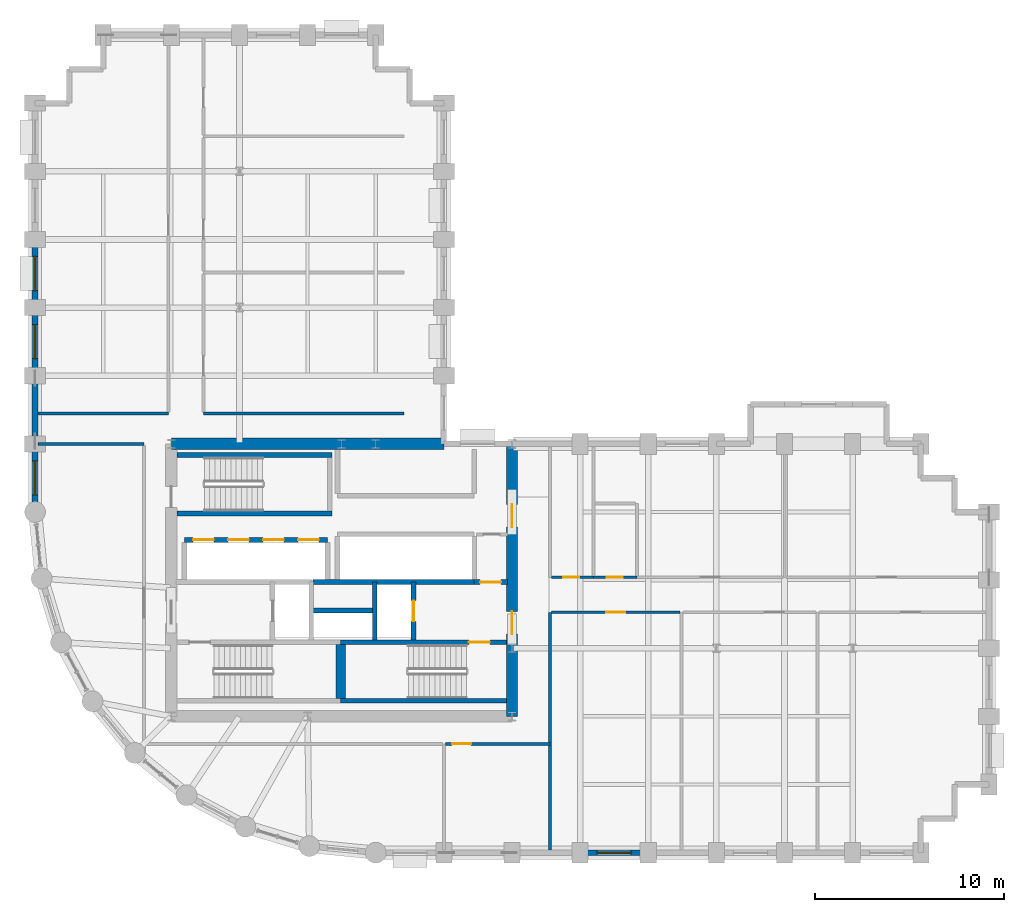
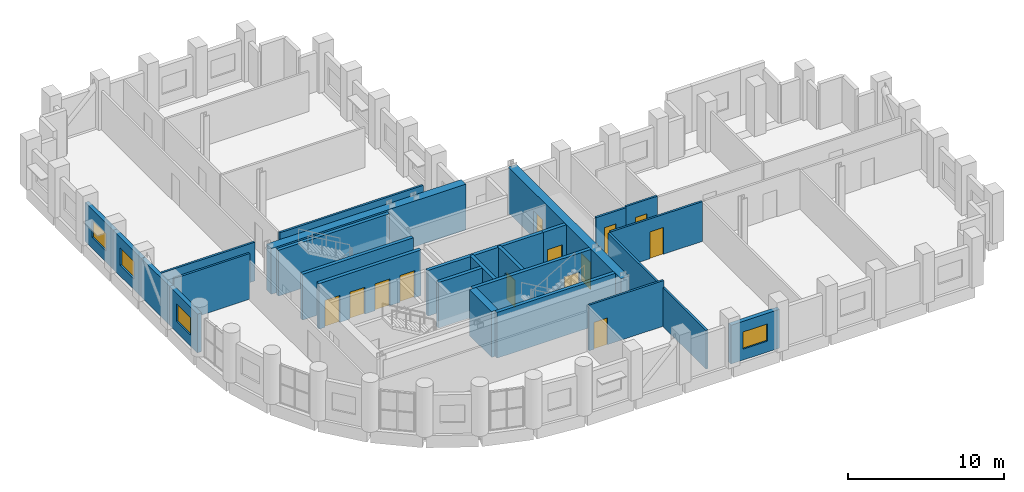
# One storey, part 8 of 13: 26 walls, 13 doors, 4 windows, 17 openings.
"""IFC4 building model written with IfcOpenShell, lengths in metres."""

from ifc_helpers import new_model, si_unit, direction, frame, frame_2d, origin, place, context, subcontext, project, spatial, rectangle, extrude, material, layer, layer_set, type_object, element, fill, save


model = new_model("IFC4")

# Units and contexts
model_context = context("Model", 3, precision=1e-05, world=origin(), true_north=direction((0.0, 1.0)))
body_context = subcontext(model_context, "Body", "Model", "MODEL_VIEW")
ifc_project = project(units=[si_unit("LENGTHUNIT", "METRE"), si_unit("AREAUNIT", "SQUARE_METRE"), si_unit("VOLUMEUNIT", "CUBIC_METRE"), si_unit("PLANEANGLEUNIT", "RADIAN"), si_unit("MASSUNIT", "GRAM", prefix="KILO")], contexts=[model_context])

# Site, building, storey
site_placement = place(None, origin())
site = spatial("IfcSite", under=ifc_project, at=site_placement, CompositionType="ELEMENT")
building_placement = place(site_placement, origin())
building = spatial("IfcBuilding", under=site, at=building_placement, Name="Solnavia Interchange Tower", CompositionType="ELEMENT")
storey_placement = place(building_placement, frame((0.0, 0.0, 111.300048828125)))
storey = spatial("IfcBuildingStorey", under=building, at=storey_placement, Name="L27", CompositionType="ELEMENT", Elevation=111.300048828125)

# Wall, opening, window
ifc_material_1 = material(Name="Concrete C40/50", Category="concrete")
ifc_layer_1 = layer(ifc_material_1, 0.300048828125)
ifc_layer_set_1 = layer_set([ifc_layer_1], Name="Concrete C40/50")
wall_type_1 = type_object("IfcWallType", Name="Wall-ExtSpandrel-300", PredefinedType="STANDARD", material=ifc_layer_set_1)
wall_1_placement = place(storey_placement, frame((39.60009765625, 3.60009765625, 0.0), z_axis=(0.0, 0.0, 1.0), x_axis=(-1.0, 0.0, 0.0)))
wall_1 = element("IfcWall", 1, at=wall_1_placement, inside=storey, type_object=wall_type_1, Name="EXW-L27-04 Exterior precast spandrel wall", PredefinedType="STANDARD", context=body_context, shape_type="SweptSolid", body=[
    extrude(rectangle(XDim=3.60009765625, YDim=0.300048828125, at=frame_2d((1.800048828125, 0.0))), origin(), (0.0, 0.0, 1.0), 3.030029296875),
])
opening_1_placement = place(wall_1_placement, frame((0.89990234375, 0.0, 0.85009765625)))
opening_1 = element("IfcOpeningElement", 2, at=opening_1_placement, cuts=wall_1, Name="Opening WIN-02", PredefinedType="OPENING", context=body_context, shape_type="SweptSolid", body=[
    extrude(rectangle(XDim=1.800048828125, YDim=1.35009765625, at=frame_2d((0.89990234375, 0.675048828125))), frame((0.0, 0.16015625, 0.0), z_axis=(0.0, -1.0, 0.0), x_axis=(1.0, 0.0, 0.0)), (0.0, 0.0, 1.0), 0.320068359375),
])
ifc_material_2 = material(Name="Thermal-Break Aluminium & Low-E Glass", Category="aluminium")
window_type = type_object("IfcWindowType", Name="Window-Ribbon-1800x1350", PartitioningType="SINGLE_PANEL", PredefinedType="WINDOW", material=ifc_material_2)
window_1_placement = place(opening_1_placement, origin())
window_1 = element("IfcWindow", 3, at=window_1_placement, inside=storey, type_object=window_type, Name="WIN-L27-04 Facade ribbon window", OverallHeight=1.35009765625, OverallWidth=1.800048828125, PartitioningType="SINGLE_PANEL", PredefinedType="WINDOW", context=body_context, shape_type="SweptSolid", body=[
    extrude(rectangle(XDim=1.800048828125, YDim=1.35009765625, at=frame_2d((0.89990234375, 0.675048828125))), frame((0.0, 0.030029296875, 0.0), z_axis=(0.0, -1.0, 0.0), x_axis=(1.0, 0.0, 0.0)), (0.0, 0.0, 1.0), 0.06005859375),
])
fill(opening_1, window_1)

wall_2_placement = place(storey_placement, frame((7.199951171875, 32.39990234375, 0.0), z_axis=(0.0, 0.0, 1.0), x_axis=(0.0, 1.0, 0.0)))
wall_2 = element("IfcWall", 4, at=wall_2_placement, inside=storey, type_object=wall_type_1, Name="EXW-L27-51 Exterior precast spandrel wall", PredefinedType="STANDARD", context=body_context, shape_type="SweptSolid", body=[
    extrude(rectangle(XDim=3.60009765625, YDim=0.300048828125, at=frame_2d((1.800048828125, 0.0))), origin(), (0.0, 0.0, 1.0), 3.030029296875),
])
opening_2_placement = place(wall_2_placement, frame((0.89990234375, 0.0, 0.85009765625)))
opening_2 = element("IfcOpeningElement", 5, at=opening_2_placement, cuts=wall_2, Name="Opening WIN-02", PredefinedType="OPENING", context=body_context, shape_type="SweptSolid", body=[
    extrude(rectangle(XDim=1.800048828125, YDim=1.35009765625, at=frame_2d((0.89990234375, 0.675048828125))), frame((0.0, 0.16015625, 0.0), z_axis=(0.0, -1.0, 0.0), x_axis=(1.0, 0.0, 0.0)), (0.0, 0.0, 1.0), 0.320068359375),
])
window_2_placement = place(opening_2_placement, origin())
window_2 = element("IfcWindow", 6, at=window_2_placement, inside=storey, type_object=window_type, Name="WIN-L27-51 Facade ribbon window", OverallHeight=1.35009765625, OverallWidth=1.800048828125, PartitioningType="SINGLE_PANEL", PredefinedType="WINDOW", context=body_context, shape_type="SweptSolid", body=[
    extrude(rectangle(XDim=1.800048828125, YDim=1.35009765625, at=frame_2d((0.89990234375, 0.675048828125))), frame((0.0, 0.030029296875, 0.0), z_axis=(0.0, -1.0, 0.0), x_axis=(1.0, 0.0, 0.0)), (0.0, 0.0, 1.0), 0.06005859375),
])
fill(opening_2, window_2)

wall_3_placement = place(storey_placement, frame((7.199951171875, 28.800048828125, 0.0), z_axis=(0.0, 0.0, 1.0), x_axis=(0.0, 1.0, 0.0)))
wall_3 = element("IfcWall", 7, at=wall_3_placement, inside=storey, type_object=wall_type_1, Name="EXW-L27-52 Exterior precast spandrel wall", PredefinedType="STANDARD", context=body_context, shape_type="SweptSolid", body=[
    extrude(rectangle(XDim=3.599853515625, YDim=0.300048828125, at=frame_2d((1.7998046875, 0.0))), origin(), (0.0, 0.0, 1.0), 3.030029296875),
])
opening_3_placement = place(wall_3_placement, frame((0.89990234375, 0.0, 0.85009765625)))
opening_3 = element("IfcOpeningElement", 8, at=opening_3_placement, cuts=wall_3, Name="Opening WIN-02", PredefinedType="OPENING", context=body_context, shape_type="SweptSolid", body=[
    extrude(rectangle(XDim=1.800048828125, YDim=1.35009765625, at=frame_2d((0.89990234375, 0.675048828125))), frame((0.0, 0.16015625, 0.0), z_axis=(0.0, -1.0, 0.0), x_axis=(1.0, 0.0, 0.0)), (0.0, 0.0, 1.0), 0.320068359375),
])
window_3_placement = place(opening_3_placement, origin())
window_3 = element("IfcWindow", 9, at=window_3_placement, inside=storey, type_object=window_type, Name="WIN-L27-52 Facade ribbon window", OverallHeight=1.35009765625, OverallWidth=1.800048828125, PartitioningType="SINGLE_PANEL", PredefinedType="WINDOW", context=body_context, shape_type="SweptSolid", body=[
    extrude(rectangle(XDim=1.800048828125, YDim=1.35009765625, at=frame_2d((0.89990234375, 0.675048828125))), frame((0.0, 0.030029296875, 0.0), z_axis=(0.0, -1.0, 0.0), x_axis=(1.0, 0.0, 0.0)), (0.0, 0.0, 1.0), 0.06005859375),
])
fill(opening_3, window_3)

# Wall
wall_4_placement = place(storey_placement, frame((7.199951171875, 25.199951171875, 0.0), z_axis=(0.0, 0.0, 1.0), x_axis=(0.0, 1.0, 0.0)))
element("IfcWall", 10, at=wall_4_placement, inside=storey, type_object=wall_type_1, Name="EXW-L27-53 Exterior precast spandrel wall", PredefinedType="STANDARD", context=body_context, shape_type="SweptSolid", body=[
    extrude(rectangle(XDim=3.60009765625, YDim=0.300048828125, at=frame_2d((1.800048828125, 0.0))), origin(), (0.0, 0.0, 1.0), 3.030029296875),
])

# Wall, opening, window
wall_5_placement = place(storey_placement, frame((7.199951171875, 21.60009765625, 0.0), z_axis=(0.0, 0.0, 1.0), x_axis=(0.0, 1.0, 0.0)))
wall_5 = element("IfcWall", 11, at=wall_5_placement, inside=storey, type_object=wall_type_1, Name="EXW-L27-54 Exterior precast spandrel wall", PredefinedType="STANDARD", context=body_context, shape_type="SweptSolid", body=[
    extrude(rectangle(XDim=3.599853515625, YDim=0.300048828125, at=frame_2d((1.7998046875, 0.0))), origin(), (0.0, 0.0, 1.0), 3.030029296875),
])
opening_4_placement = place(wall_5_placement, frame((0.89990234375, 0.0, 0.85009765625)))
opening_4 = element("IfcOpeningElement", 12, at=opening_4_placement, cuts=wall_5, Name="Opening WIN-02", PredefinedType="OPENING", context=body_context, shape_type="SweptSolid", body=[
    extrude(rectangle(XDim=1.800048828125, YDim=1.35009765625, at=frame_2d((0.89990234375, 0.675048828125))), frame((0.0, 0.16015625, 0.0), z_axis=(0.0, -1.0, 0.0), x_axis=(1.0, 0.0, 0.0)), (0.0, 0.0, 1.0), 0.320068359375),
])
window_4_placement = place(opening_4_placement, origin())
window_4 = element("IfcWindow", 13, at=window_4_placement, inside=storey, type_object=window_type, Name="WIN-L27-54 Facade ribbon window", OverallHeight=1.35009765625, OverallWidth=1.800048828125, PartitioningType="SINGLE_PANEL", PredefinedType="WINDOW", context=body_context, shape_type="SweptSolid", body=[
    extrude(rectangle(XDim=1.800048828125, YDim=1.35009765625, at=frame_2d((0.89990234375, 0.675048828125))), frame((0.0, 0.030029296875, 0.0), z_axis=(0.0, -1.0, 0.0), x_axis=(1.0, 0.0, 0.0)), (0.0, 0.0, 1.0), 0.06005859375),
])
fill(opening_4, window_4)

# Wall
ifc_material_3 = material(Name="Gypsum Plasterboard & Steel Stud", Category="steel")
ifc_layer_2 = layer(ifc_material_3, 0.14990234375)
ifc_layer_set_2 = layer_set([ifc_layer_2], Name="Gypsum Plasterboard & Steel Stud")
wall_type_2 = type_object("IfcWallType", Name="Wall-Partition-150", PredefinedType="PARTITIONING", material=ifc_layer_set_2)
wall_6_placement = place(storey_placement, frame((7.35400390625, 25.199951171875, 0.0), z_axis=(0.0, 0.0, 1.0), x_axis=(1.0, 0.0, 0.0)))
element("IfcWall", 14, at=wall_6_placement, inside=storey, type_object=wall_type_2, Name="PTW-L27-07 Interior partition wall", PredefinedType="PARTITIONING", context=body_context, shape_type="SweptSolid", body=[
    extrude(rectangle(XDim=5.595947265625, YDim=0.14990234375, at=frame_2d((2.7978515625, 0.0))), origin(), (0.0, 0.0, 1.0), 3.56494140625),
])

# Wall, opening, door
wall_7_placement = place(storey_placement, frame((28.87890625, 9.35009765625, 0.0), z_axis=(0.0, 0.0, 1.0), x_axis=(1.0, 0.0, 0.0)))
wall_7 = element("IfcWall", 15, at=wall_7_placement, inside=storey, type_object=wall_type_2, Name="PTW-L27-11 Interior partition wall", PredefinedType="PARTITIONING", context=body_context, shape_type="SweptSolid", body=[
    extrude(rectangle(XDim=5.52099609375, YDim=0.14990234375, at=frame_2d((2.760498046875, 0.0))), origin(), (0.0, 0.0, 1.0), 3.56494140625),
])
opening_5_placement = place(wall_7_placement, frame((0.360107421875, 0.0, 0.0)))
opening_5 = element("IfcOpeningElement", 16, at=opening_5_placement, cuts=wall_7, Name="Opening DR-07", PredefinedType="OPENING", context=body_context, shape_type="SweptSolid", body=[
    extrude(rectangle(XDim=1.0, YDim=2.10009765625, at=frame_2d((0.5, 1.050048828125))), frame((0.0, 0.0849609375, 0.0), z_axis=(0.0, -1.0, 0.0), x_axis=(1.0, 0.0, 0.0)), (0.0, 0.0, 1.0), 0.169921875),
])
ifc_material_4 = material(Name="Timber & Acoustic Glazed Office Door", Category="wood")
door_type_1 = type_object("IfcDoorType", Name="Door-Office-1000x2100", OperationType="SINGLE_SWING_RIGHT", PredefinedType="DOOR", material=ifc_material_4)
door_1_placement = place(opening_5_placement, origin())
door_1 = element("IfcDoor", 17, at=door_1_placement, inside=storey, type_object=door_type_1, Name="DR-L27-04 Interior room door", OperationType="SINGLE_SWING_RIGHT", OverallHeight=2.10009765625, OverallWidth=1.0, PredefinedType="DOOR", context=body_context, shape_type="SweptSolid", body=[
    extrude(rectangle(XDim=1.0, YDim=2.10009765625, at=frame_2d((0.5, 1.050048828125))), frame((0.0, 0.02490234375, 0.0), z_axis=(0.0, -1.0, 0.0), x_axis=(1.0, 0.0, 0.0)), (0.0, 0.0, 1.0), 0.050048828125),
])
fill(opening_5, door_1)

# Wall
wall_8_placement = place(storey_placement, frame((34.39990234375, 3.75390625, 0.0), z_axis=(0.0, 0.0, 1.0), x_axis=(0.0, 1.0, 0.0)))
element("IfcWall", 18, at=wall_8_placement, inside=storey, type_object=wall_type_2, Name="PTW-L27-12 Interior partition wall", PredefinedType="PARTITIONING", context=body_context, shape_type="SweptSolid", body=[
    extrude(rectangle(XDim=12.546142578125, YDim=0.14990234375, at=frame_2d((6.27294921875, 0.0))), origin(), (0.0, 0.0, 1.0), 3.030029296875),
])

# Wall, opening, door
wall_9_placement = place(storey_placement, frame((34.47900390625, 16.300048828125, 0.0), z_axis=(0.0, 0.0, 1.0), x_axis=(1.0, 0.0, 0.0)))
wall_9 = element("IfcWall", 19, at=wall_9_placement, inside=storey, type_object=wall_type_2, Name="PTW-L27-14 Interior partition wall", PredefinedType="PARTITIONING", context=body_context, shape_type="SweptSolid", body=[
    extrude(rectangle(XDim=6.7919921875, YDim=0.14990234375, at=frame_2d((3.39599609375, 0.0))), origin(), (0.0, 0.0, 1.0), 3.10986328125),
])
opening_6_placement = place(wall_9_placement, frame((2.89599609375, 0.0, 0.0)))
opening_6 = element("IfcOpeningElement", 20, at=opening_6_placement, cuts=wall_9, Name="Opening DR-07", PredefinedType="OPENING", context=body_context, shape_type="SweptSolid", body=[
    extrude(rectangle(XDim=1.0, YDim=2.10009765625, at=frame_2d((0.5, 1.050048828125))), frame((0.0, 0.0849609375, 0.0), z_axis=(0.0, -1.0, 0.0), x_axis=(1.0, 0.0, 0.0)), (0.0, 0.0, 1.0), 0.169921875),
])
door_2_placement = place(opening_6_placement, origin())
door_2 = element("IfcDoor", 21, at=door_2_placement, inside=storey, type_object=door_type_1, Name="DR-L27-05 Interior room door", OperationType="SINGLE_SWING_LEFT", OverallHeight=2.10009765625, OverallWidth=1.0, PredefinedType="DOOR", context=body_context, shape_type="SweptSolid", body=[
    extrude(rectangle(XDim=1.0, YDim=2.10009765625, at=frame_2d((0.5, 1.050048828125))), frame((0.0, 0.02490234375, 0.0), z_axis=(0.0, -1.0, 0.0), x_axis=(1.0, 0.0, 0.0)), (0.0, 0.0, 1.0), 0.050048828125),
])
fill(opening_6, door_2)

# Walls
wall_10_placement = place(storey_placement, frame((7.35400390625, 26.800048828125, 0.0), z_axis=(0.0, 0.0, 1.0), x_axis=(1.0, 0.0, 0.0)))
element("IfcWall", 22, at=wall_10_placement, inside=storey, type_object=wall_type_2, Name="PTW-L27-21 Interior partition wall", PredefinedType="PARTITIONING", context=body_context, shape_type="SweptSolid", body=[
    extrude(rectangle(XDim=6.89599609375, YDim=0.14990234375, at=frame_2d((3.447998046875, 0.0))), origin(), (0.0, 0.0, 1.0), 3.030029296875),
])
wall_11_placement = place(storey_placement, frame((16.10009765625, 26.800048828125, 0.0), z_axis=(0.0, 0.0, 1.0), x_axis=(1.0, 0.0, 0.0)))
element("IfcWall", 23, at=wall_11_placement, inside=storey, type_object=wall_type_2, Name="PTW-L27-23 Interior partition wall", PredefinedType="PARTITIONING", context=body_context, shape_type="SweptSolid", body=[
    extrude(rectangle(XDim=10.599853515625, YDim=0.14990234375, at=frame_2d((5.2998046875, 0.0))), origin(), (0.0, 0.0, 1.0), 3.10986328125),
])
ifc_layer_3 = layer(ifc_material_1, 0.25)
ifc_layer_set_3 = layer_set([ifc_layer_3], Name="Concrete C40/50")
wall_type_3 = type_object("IfcWallType", Name="Wall-ShaftCore-250", PredefinedType="SHEAR", material=ifc_layer_set_3)
wall_12_placement = place(storey_placement, frame((23.35009765625, 11.625, 0.0), z_axis=(0.0, 0.0, 1.0), x_axis=(1.0, 0.0, 0.0)))
element("IfcWall", 24, at=wall_12_placement, inside=storey, type_object=wall_type_3, Name="SHW-L27-ST2S Core shear wall", PredefinedType="SHEAR", context=body_context, shape_type="SweptSolid", body=[
    extrude(rectangle(XDim=8.75, YDim=0.25, at=frame_2d((4.375, 0.0))), origin(), (0.0, 0.0, 1.0), 3.579833984375),
])

# Wall, opening, door
wall_13_placement = place(storey_placement, frame((23.35009765625, 14.715087890625, 0.0), z_axis=(0.0, 0.0, 1.0), x_axis=(1.0, 0.0, 0.0)))
wall_13 = element("IfcWall", 25, at=wall_13_placement, inside=storey, type_object=wall_type_3, Name="SHW-L27-ST2N Core shear wall", PredefinedType="SHEAR", context=body_context, shape_type="SweptSolid", body=[
    extrude(rectangle(XDim=8.75, YDim=0.25, at=frame_2d((4.375, 0.0))), origin(), (0.0, 0.0, 1.0), 3.579833984375),
])
opening_7_placement = place(wall_13_placement, frame((6.77490234375, 0.0, 0.0)))
opening_7 = element("IfcOpeningElement", 26, at=opening_7_placement, cuts=wall_13, Name="Opening DR-01", PredefinedType="OPENING", context=body_context, shape_type="SweptSolid", body=[
    extrude(rectangle(XDim=1.10009765625, YDim=2.10009765625, at=frame_2d((0.550048828125, 1.050048828125))), frame((0.0, 0.135009765625, 0.0), z_axis=(0.0, -1.0, 0.0), x_axis=(1.0, 0.0, 0.0)), (0.0, 0.0, 1.0), 0.27001953125),
])
ifc_material_5 = material(Name="Steel Fire-Rated Leaf & Frame", Category="steel")
door_type_2 = type_object("IfcDoorType", Name="Door-StairFire-1100x2100", OperationType="SINGLE_SWING_LEFT", PredefinedType="DOOR", material=ifc_material_5)
door_3_placement = place(opening_7_placement, origin())
door_3 = element("IfcDoor", 27, at=door_3_placement, inside=storey, type_object=door_type_2, Name="DR-L27-ST2 Core fire door", OperationType="SINGLE_SWING_LEFT", OverallHeight=2.10009765625, OverallWidth=1.10009765625, PredefinedType="DOOR", context=body_context, shape_type="SweptSolid", body=[
    extrude(rectangle(XDim=1.10009765625, YDim=2.10009765625, at=frame_2d((0.550048828125, 1.050048828125))), frame((0.0, 0.02490234375, 0.0), z_axis=(0.0, -1.0, 0.0), x_axis=(1.0, 0.0, 0.0)), (0.0, 0.0, 1.0), 0.050048828125),
])
fill(opening_7, door_3)

# Walls
for number, where, z_axis, x_axis, name in (
    (28, (14.699951171875, 21.52490234375, 0.0), (0.0, 0.0, 1.0), (1.0, 0.0, 0.0), "SHW-L27-ST3S Core shear wall"),
    (29, (14.699951171875, 24.614990234375, 0.0), (0.0, 0.0, 1.0), (1.0, 0.0, 0.0), "SHW-L27-ST3N Core shear wall"),
):
    element("IfcWall", number, at=place(storey_placement, frame(where, z_axis=z_axis, x_axis=x_axis)), inside=storey, type_object=wall_type_3, Name=name, PredefinedType="SHEAR", context=body_context, shape_type="SweptSolid", body=[
        extrude(rectangle(XDim=8.199951171875, YDim=0.25, at=frame_2d((4.10009765625, 0.0))), origin(), (0.0, 0.0, 1.0), 3.579833984375),
    ])
ifc_layer_4 = layer(ifc_material_1, 0.25)
ifc_layer_set_4 = layer_set([ifc_layer_4], Name="Concrete C40/50")
wall_type_4 = type_object("IfcWallType", Name="Wall-ShaftPart-250", PredefinedType="PARTITIONING", material=ifc_layer_set_4)
wall_14_placement = place(storey_placement, frame((21.8798828125, 17.89990234375, 0.0), z_axis=(0.0, 0.0, 1.0), x_axis=(1.0, 0.0, 0.0)))
element("IfcWall", 30, at=wall_14_placement, inside=storey, type_object=wall_type_4, Name="SHW-L27-FFLE-N1 Core shaft wall", PredefinedType="PARTITIONING", context=body_context, shape_type="SweptSolid", body=[
    extrude(rectangle(XDim=8.52001953125, YDim=0.25, at=frame_2d((4.260009765625, 0.0))), origin(), (0.0, 0.0, 1.0), 3.56494140625),
])

# Wall, opening, door
wall_15_placement = place(storey_placement, frame((30.39990234375, 17.89990234375, 0.0), z_axis=(0.0, 0.0, 1.0), x_axis=(1.0, 0.0, 0.0)))
wall_15 = element("IfcWall", 31, at=wall_15_placement, inside=storey, type_object=wall_type_4, Name="SHW-L27-FFLE-N2 Core shaft wall", PredefinedType="PARTITIONING", context=body_context, shape_type="SweptSolid", body=[
    extrude(rectangle(XDim=1.75, YDim=0.25, at=frame_2d((0.875, 0.0))), origin(), (0.0, 0.0, 1.0), 3.56494140625),
])
opening_8_placement = place(wall_15_placement, frame((0.320068359375, 0.0, 0.0)))
opening_8 = element("IfcOpeningElement", 32, at=opening_8_placement, cuts=wall_15, Name="Opening DR-01", PredefinedType="OPENING", context=body_context, shape_type="SweptSolid", body=[
    extrude(rectangle(XDim=1.10009765625, YDim=2.10009765625, at=frame_2d((0.550048828125, 1.050048828125))), frame((0.0, 0.135009765625, 0.0), z_axis=(0.0, -1.0, 0.0), x_axis=(1.0, 0.0, 0.0)), (0.0, 0.0, 1.0), 0.27001953125),
])
door_4_placement = place(opening_8_placement, origin())
door_4 = element("IfcDoor", 33, at=door_4_placement, inside=storey, type_object=door_type_2, Name="DR-L27-LLC Core fire door", OperationType="SINGLE_SWING_LEFT", OverallHeight=2.10009765625, OverallWidth=1.10009765625, PredefinedType="DOOR", context=body_context, shape_type="SweptSolid", body=[
    extrude(rectangle(XDim=1.10009765625, YDim=2.10009765625, at=frame_2d((0.550048828125, 1.050048828125))), frame((0.0, 0.02490234375, 0.0), z_axis=(0.0, -1.0, 0.0), x_axis=(1.0, 0.0, 0.0)), (0.0, 0.0, 1.0), 0.050048828125),
])
fill(opening_8, door_4)

# Wall
wall_16_placement = place(storey_placement, frame((25.14990234375, 14.840087890625, 0.0), z_axis=(0.0, 0.0, 1.0), x_axis=(0.0, 1.0, 0.0)))
element("IfcWall", 34, at=wall_16_placement, inside=storey, type_object=wall_type_4, Name="SHW-L27-FFL2-W Core shaft wall", PredefinedType="PARTITIONING", context=body_context, shape_type="SweptSolid", body=[
    extrude(rectangle(XDim=3.059814453125, YDim=0.25, at=frame_2d((1.52978515625, 0.0))), origin(), (0.0, 0.0, 1.0), 3.56494140625),
])

# Wall, opening, door
wall_17_placement = place(storey_placement, frame((27.199951171875, 14.840087890625, 0.0), z_axis=(0.0, 0.0, 1.0), x_axis=(0.0, 1.0, 0.0)))
wall_17 = element("IfcWall", 35, at=wall_17_placement, inside=storey, type_object=wall_type_4, Name="SHW-L27-FFL2-E Core shaft wall", PredefinedType="PARTITIONING", context=body_context, shape_type="SweptSolid", body=[
    extrude(rectangle(XDim=3.059814453125, YDim=0.25, at=frame_2d((1.52978515625, 0.0))), origin(), (0.0, 0.0, 1.0), 3.56494140625),
])
opening_9_placement = place(wall_17_placement, frame((0.97998046875, 0.0, 0.0)))
opening_9 = element("IfcOpeningElement", 36, at=opening_9_placement, cuts=wall_17, Name="Opening LD-01", PredefinedType="OPENING", context=body_context, shape_type="SweptSolid", body=[
    extrude(rectangle(XDim=1.10009765625, YDim=2.10009765625, at=frame_2d((0.550048828125, 1.050048828125))), frame((0.0, 0.135009765625, 0.0), z_axis=(0.0, -1.0, 0.0), x_axis=(1.0, 0.0, 0.0)), (0.0, 0.0, 1.0), 0.27001953125),
])
ifc_material_6 = material(Name="Brushed Stainless Steel Sliding Door", Category="steel")
door_type_3 = type_object("IfcDoorType", Name="Door-LiftLanding-1100x2100", OperationType="SLIDING_TO_LEFT", PredefinedType="DOOR", material=ifc_material_6)
door_5_placement = place(opening_9_placement, origin())
door_5 = element("IfcDoor", 37, at=door_5_placement, inside=storey, type_object=door_type_3, Name="LD-L27-FFL2 Lift landing sliding door", OperationType="SLIDING_TO_LEFT", OverallHeight=2.10009765625, OverallWidth=1.10009765625, PredefinedType="DOOR", context=body_context, shape_type="SweptSolid", body=[
    extrude(rectangle(XDim=1.10009765625, YDim=2.10009765625, at=frame_2d((0.550048828125, 1.050048828125))), frame((0.0, 0.02490234375, 0.0), z_axis=(0.0, -1.0, 0.0), x_axis=(1.0, 0.0, 0.0)), (0.0, 0.0, 1.0), 0.050048828125),
])
fill(opening_9, door_5)

# Wall
wall_18_placement = place(storey_placement, frame((21.800048828125, 16.39990234375, 0.0), z_axis=(0.0, 0.0, 1.0), x_axis=(1.0, 0.0, 0.0)))
element("IfcWall", 38, at=wall_18_placement, inside=storey, type_object=wall_type_4, Name="SHW-L27-MEP-N Core shaft wall", PredefinedType="PARTITIONING", context=body_context, shape_type="SweptSolid", body=[
    extrude(rectangle(XDim=3.349853515625, YDim=0.25, at=frame_2d((1.6748046875, 0.0))), origin(), (0.0, 0.0, 1.0), 3.56494140625),
])

# Wall, openings, doors
wall_19_placement = place(storey_placement, frame((15.10009765625, 20.125, 0.0), z_axis=(0.0, 0.0, 1.0), x_axis=(1.0, 0.0, 0.0)))
wall_19 = element("IfcWall", 39, at=wall_19_placement, inside=storey, type_object=wall_type_4, Name="SHW-L27-B1N Core shaft wall", PredefinedType="PARTITIONING", context=body_context, shape_type="SweptSolid", body=[
    extrude(rectangle(XDim=7.5498046875, YDim=0.25, at=frame_2d((3.77490234375, 0.0))), origin(), (0.0, 0.0, 1.0), 3.56494140625),
])
opening_10_placement = place(wall_19_placement, frame((0.449951171875, 0.0, 0.0)))
opening_10 = element("IfcOpeningElement", 40, at=opening_10_placement, cuts=wall_19, Name="Opening LD-01", PredefinedType="OPENING", context=body_context, shape_type="SweptSolid", body=[
    extrude(rectangle(XDim=1.10009765625, YDim=2.10009765625, at=frame_2d((0.550048828125, 1.050048828125))), frame((0.0, 0.135009765625, 0.0), z_axis=(0.0, -1.0, 0.0), x_axis=(1.0, 0.0, 0.0)), (0.0, 0.0, 1.0), 0.27001953125),
])
opening_11_placement = place(wall_19_placement, frame((2.300048828125, 0.0, 0.0)))
opening_11 = element("IfcOpeningElement", 41, at=opening_11_placement, cuts=wall_19, Name="Opening LD-01", PredefinedType="OPENING", context=body_context, shape_type="SweptSolid", body=[
    extrude(rectangle(XDim=1.10009765625, YDim=2.10009765625, at=frame_2d((0.550048828125, 1.050048828125))), frame((0.0, 0.135009765625, 0.0), z_axis=(0.0, -1.0, 0.0), x_axis=(1.0, 0.0, 0.0)), (0.0, 0.0, 1.0), 0.27001953125),
])
opening_12_placement = place(wall_19_placement, frame((4.14990234375, 0.0, 0.0)))
opening_12 = element("IfcOpeningElement", 42, at=opening_12_placement, cuts=wall_19, Name="Opening LD-01", PredefinedType="OPENING", context=body_context, shape_type="SweptSolid", body=[
    extrude(rectangle(XDim=1.10009765625, YDim=2.10009765625, at=frame_2d((0.550048828125, 1.050048828125))), frame((0.0, 0.135009765625, 0.0), z_axis=(0.0, -1.0, 0.0), x_axis=(1.0, 0.0, 0.0)), (0.0, 0.0, 1.0), 0.27001953125),
])
opening_13_placement = place(wall_19_placement, frame((6.0, 0.0, 0.0)))
opening_13 = element("IfcOpeningElement", 43, at=opening_13_placement, cuts=wall_19, Name="Opening LD-01", PredefinedType="OPENING", context=body_context, shape_type="SweptSolid", body=[
    extrude(rectangle(XDim=1.10009765625, YDim=2.10009765625, at=frame_2d((0.550048828125, 1.050048828125))), frame((0.0, 0.135009765625, 0.0), z_axis=(0.0, -1.0, 0.0), x_axis=(1.0, 0.0, 0.0)), (0.0, 0.0, 1.0), 0.27001953125),
])
door_6_placement = place(opening_10_placement, origin())
door_6 = element("IfcDoor", 44, at=door_6_placement, inside=storey, type_object=door_type_3, Name="LD-L27-B1-1 Lift landing sliding door", OperationType="SLIDING_TO_LEFT", OverallHeight=2.10009765625, OverallWidth=1.10009765625, PredefinedType="DOOR", context=body_context, shape_type="SweptSolid", body=[
    extrude(rectangle(XDim=1.10009765625, YDim=2.10009765625, at=frame_2d((0.550048828125, 1.050048828125))), frame((0.0, 0.02490234375, 0.0), z_axis=(0.0, -1.0, 0.0), x_axis=(1.0, 0.0, 0.0)), (0.0, 0.0, 1.0), 0.050048828125),
])
fill(opening_10, door_6)
door_7_placement = place(opening_11_placement, origin())
door_7 = element("IfcDoor", 45, at=door_7_placement, inside=storey, type_object=door_type_3, Name="LD-L27-B1-2 Lift landing sliding door", OperationType="SLIDING_TO_LEFT", OverallHeight=2.10009765625, OverallWidth=1.10009765625, PredefinedType="DOOR", context=body_context, shape_type="SweptSolid", body=[
    extrude(rectangle(XDim=1.10009765625, YDim=2.10009765625, at=frame_2d((0.550048828125, 1.050048828125))), frame((0.0, 0.02490234375, 0.0), z_axis=(0.0, -1.0, 0.0), x_axis=(1.0, 0.0, 0.0)), (0.0, 0.0, 1.0), 0.050048828125),
])
fill(opening_11, door_7)
door_8_placement = place(opening_12_placement, origin())
door_8 = element("IfcDoor", 46, at=door_8_placement, inside=storey, type_object=door_type_3, Name="LD-L27-B1-3 Lift landing sliding door", OperationType="SLIDING_TO_LEFT", OverallHeight=2.10009765625, OverallWidth=1.10009765625, PredefinedType="DOOR", context=body_context, shape_type="SweptSolid", body=[
    extrude(rectangle(XDim=1.10009765625, YDim=2.10009765625, at=frame_2d((0.550048828125, 1.050048828125))), frame((0.0, 0.02490234375, 0.0), z_axis=(0.0, -1.0, 0.0), x_axis=(1.0, 0.0, 0.0)), (0.0, 0.0, 1.0), 0.050048828125),
])
fill(opening_12, door_8)
door_9_placement = place(opening_13_placement, origin())
door_9 = element("IfcDoor", 47, at=door_9_placement, inside=storey, type_object=door_type_3, Name="LD-L27-B1-4 Lift landing sliding door", OperationType="SLIDING_TO_LEFT", OverallHeight=2.10009765625, OverallWidth=1.10009765625, PredefinedType="DOOR", context=body_context, shape_type="SweptSolid", body=[
    extrude(rectangle(XDim=1.10009765625, YDim=2.10009765625, at=frame_2d((0.550048828125, 1.050048828125))), frame((0.0, 0.02490234375, 0.0), z_axis=(0.0, -1.0, 0.0), x_axis=(1.0, 0.0, 0.0)), (0.0, 0.0, 1.0), 0.050048828125),
])
fill(opening_13, door_9)

# Walls
ifc_material_7 = material(Name="Concrete C60/75", Category="concrete")
ifc_layer_5 = layer(ifc_material_7, 0.5)
ifc_layer_set_5 = layer_set([ifc_layer_5], Name="Concrete C60/75")
wall_type_5 = type_object("IfcWallType", Name="Wall-ShearCore-500", PredefinedType="SHEAR", material=ifc_layer_set_5)
wall_20_placement = place(storey_placement, frame((23.35009765625, 11.75, 0.0), z_axis=(0.0, 0.0, 1.0), x_axis=(0.0, 1.0, 0.0)))
element("IfcWall", 48, at=wall_20_placement, inside=storey, type_object=wall_type_5, Name="SHW-L27-ST12M Core shear wall", PredefinedType="SHEAR", context=body_context, shape_type="SweptSolid", body=[
    extrude(rectangle(XDim=2.840087890625, YDim=0.5, at=frame_2d((1.419921875, 0.0))), origin(), (0.0, 0.0, 1.0), 3.579833984375),
])
ifc_layer_6 = layer(ifc_material_7, 0.60009765625)
ifc_layer_set_6 = layer_set([ifc_layer_6], Name="Concrete C60/75")
wall_type_6 = type_object("IfcWallType", Name="Wall-ShearCore-600", PredefinedType="SHEAR", material=ifc_layer_set_6)
wall_21_placement = place(storey_placement, frame((14.39990234375, 25.199951171875, 0.0), z_axis=(0.0, 0.0, 1.0), x_axis=(1.0, 0.0, 0.0)))
element("IfcWall", 49, at=wall_21_placement, inside=storey, type_object=wall_type_6, Name="CRW-L27-N Core shear wall", PredefinedType="SHEAR", context=body_context, shape_type="SweptSolid", body=[
    extrude(rectangle(XDim=14.400146484375, YDim=0.60009765625, at=frame_2d((7.2001953125, 0.0))), origin(), (0.0, 0.0, 1.0), 3.579833984375),
])

# Wall, openings, doors
wall_22_placement = place(storey_placement, frame((32.39990234375, 10.800048828125, 0.0), z_axis=(0.0, 0.0, 1.0), x_axis=(0.0, 1.0, 0.0)))
wall_22 = element("IfcWall", 50, at=wall_22_placement, inside=storey, type_object=wall_type_6, Name="CRW-L27-E Core shear wall", PredefinedType="SHEAR", context=body_context, shape_type="SweptSolid", body=[
    extrude(rectangle(XDim=14.39990234375, YDim=0.60009765625, at=frame_2d((7.199951171875, 0.0))), origin(), (0.0, 0.0, 1.0), 3.579833984375),
])
opening_14_placement = place(wall_22_placement, frame((4.35009765625, 0.0, 0.0)))
opening_14 = element("IfcOpeningElement", 51, at=opening_14_placement, cuts=wall_22, Name="Opening DR-02", PredefinedType="OPENING", context=body_context, shape_type="SweptSolid", body=[
    extrude(rectangle(XDim=1.199951171875, YDim=2.10009765625, at=frame_2d((0.60009765625, 1.050048828125))), frame((0.0, 0.31005859375, 0.0), z_axis=(0.0, -1.0, 0.0), x_axis=(1.0, 0.0, 0.0)), (0.0, 0.0, 1.0), 0.6201171875),
])
opening_15_placement = place(wall_22_placement, frame((10.0, 0.0, 0.0)))
opening_15 = element("IfcOpeningElement", 52, at=opening_15_placement, cuts=wall_22, Name="Opening DR-02", PredefinedType="OPENING", context=body_context, shape_type="SweptSolid", body=[
    extrude(rectangle(XDim=1.199951171875, YDim=2.10009765625, at=frame_2d((0.60009765625, 1.050048828125))), frame((0.0, 0.31005859375, 0.0), z_axis=(0.0, -1.0, 0.0), x_axis=(1.0, 0.0, 0.0)), (0.0, 0.0, 1.0), 0.6201171875),
])
ifc_material_8 = material(Name="Steel Fire-Rated Vision-Panel Door", Category="steel")
door_type_4 = type_object("IfcDoorType", Name="Door-LobbyFire-1200x2100", OperationType="SINGLE_SWING_RIGHT", PredefinedType="DOOR", material=ifc_material_8)
door_10_placement = place(opening_14_placement, origin())
door_10 = element("IfcDoor", 53, at=door_10_placement, inside=storey, type_object=door_type_4, Name="DR-L27-FFL2E Core fire door", OperationType="SINGLE_SWING_LEFT", OverallHeight=2.10009765625, OverallWidth=1.199951171875, PredefinedType="DOOR", context=body_context, shape_type="SweptSolid", body=[
    extrude(rectangle(XDim=1.199951171875, YDim=2.10009765625, at=frame_2d((0.60009765625, 1.050048828125))), frame((0.0, 0.02490234375, 0.0), z_axis=(0.0, -1.0, 0.0), x_axis=(1.0, 0.0, 0.0)), (0.0, 0.0, 1.0), 0.050048828125),
])
fill(opening_14, door_10)
door_11_placement = place(opening_15_placement, origin())
door_11 = element("IfcDoor", 54, at=door_11_placement, inside=storey, type_object=door_type_4, Name="DR-L27-LLE Core fire door", OperationType="SINGLE_SWING_RIGHT", OverallHeight=2.10009765625, OverallWidth=1.199951171875, PredefinedType="DOOR", context=body_context, shape_type="SweptSolid", body=[
    extrude(rectangle(XDim=1.199951171875, YDim=2.10009765625, at=frame_2d((0.60009765625, 1.050048828125))), frame((0.0, 0.02490234375, 0.0), z_axis=(0.0, -1.0, 0.0), x_axis=(1.0, 0.0, 0.0)), (0.0, 0.0, 1.0), 0.050048828125),
])
fill(opening_15, door_11)

# Wall, opening, door
ifc_material_9 = material(Name="Moisture-Resistant Gypsum & Steel Stud", Category="steel")
ifc_layer_7 = layer(ifc_material_9, 0.14990234375)
ifc_layer_set_7 = layer_set([ifc_layer_7], Name="Moisture-Resistant Gypsum & Steel Stud")
wall_type_7 = type_object("IfcWallType", Name="Wall-WetRoom-150", PredefinedType="PARTITIONING", material=ifc_layer_set_7)
wall_23_placement = place(storey_placement, frame((34.47900390625, 18.14990234375, 0.0), z_axis=(0.0, 0.0, 1.0), x_axis=(1.0, 0.0, 0.0)))
wall_23 = element("IfcWall", 55, at=wall_23_placement, inside=storey, type_object=wall_type_7, Name="PTW-L27-02 Interior partition wall", PredefinedType="PARTITIONING", context=body_context, shape_type="SweptSolid", body=[
    extrude(rectangle(XDim=2.220947265625, YDim=0.14990234375, at=frame_2d((1.1103515625, 0.0))), origin(), (0.0, 0.0, 1.0), 3.10986328125),
])
opening_16_placement = place(wall_23_placement, frame((0.617919921875, 0.0, 0.0)))
opening_16 = element("IfcOpeningElement", 56, at=opening_16_placement, cuts=wall_23, Name="Opening DR-10", PredefinedType="OPENING", context=body_context, shape_type="SweptSolid", body=[
    extrude(rectangle(XDim=0.85009765625, YDim=2.10009765625, at=frame_2d((0.425048828125, 1.050048828125))), frame((0.0, 0.0849609375, 0.0), z_axis=(0.0, -1.0, 0.0), x_axis=(1.0, 0.0, 0.0)), (0.0, 0.0, 1.0), 0.169921875),
])
ifc_material_10 = material(Name="Moisture-Resistant Timber Door", Category="wood")
door_type_5 = type_object("IfcDoorType", Name="Door-Bathroom-850x2100", OperationType="SINGLE_SWING_RIGHT", PredefinedType="DOOR", material=ifc_material_10)
door_12_placement = place(opening_16_placement, origin())
door_12 = element("IfcDoor", 57, at=door_12_placement, inside=storey, type_object=door_type_5, Name="DR-L27-01 Interior room door", OperationType="SINGLE_SWING_RIGHT", OverallHeight=2.10009765625, OverallWidth=0.85009765625, PredefinedType="DOOR", context=body_context, shape_type="SweptSolid", body=[
    extrude(rectangle(XDim=0.85009765625, YDim=2.10009765625, at=frame_2d((0.425048828125, 1.050048828125))), frame((0.0, 0.02490234375, 0.0), z_axis=(0.0, -1.0, 0.0), x_axis=(1.0, 0.0, 0.0)), (0.0, 0.0, 1.0), 0.050048828125),
])
fill(opening_16, door_12)

wall_24_placement = place(storey_placement, frame((36.699951171875, 18.14990234375, 0.0), z_axis=(0.0, 0.0, 1.0), x_axis=(1.0, 0.0, 0.0)))
wall_24 = element("IfcWall", 58, at=wall_24_placement, inside=storey, type_object=wall_type_7, Name="PTW-L27-04 Interior partition wall", PredefinedType="PARTITIONING", context=body_context, shape_type="SweptSolid", body=[
    extrude(rectangle(XDim=2.300048828125, YDim=0.14990234375, at=frame_2d((1.14990234375, 0.0))), origin(), (0.0, 0.0, 1.0), 3.199951171875),
])
opening_17_placement = place(wall_24_placement, frame((0.697021484375, 0.0, 0.0)))
opening_17 = element("IfcOpeningElement", 59, at=opening_17_placement, cuts=wall_24, Name="Opening DR-10", PredefinedType="OPENING", context=body_context, shape_type="SweptSolid", body=[
    extrude(rectangle(XDim=0.85009765625, YDim=2.10009765625, at=frame_2d((0.425048828125, 1.050048828125))), frame((0.0, 0.0849609375, 0.0), z_axis=(0.0, -1.0, 0.0), x_axis=(1.0, 0.0, 0.0)), (0.0, 0.0, 1.0), 0.169921875),
])
door_13_placement = place(opening_17_placement, origin())
door_13 = element("IfcDoor", 60, at=door_13_placement, inside=storey, type_object=door_type_5, Name="DR-L27-02 Interior room door", OperationType="SINGLE_SWING_RIGHT", OverallHeight=2.10009765625, OverallWidth=0.85009765625, PredefinedType="DOOR", context=body_context, shape_type="SweptSolid", body=[
    extrude(rectangle(XDim=0.85009765625, YDim=2.10009765625, at=frame_2d((0.425048828125, 1.050048828125))), frame((0.0, 0.02490234375, 0.0), z_axis=(0.0, -1.0, 0.0), x_axis=(1.0, 0.0, 0.0)), (0.0, 0.0, 1.0), 0.050048828125),
])
fill(opening_17, door_13)

save(model, "model.ifc")
